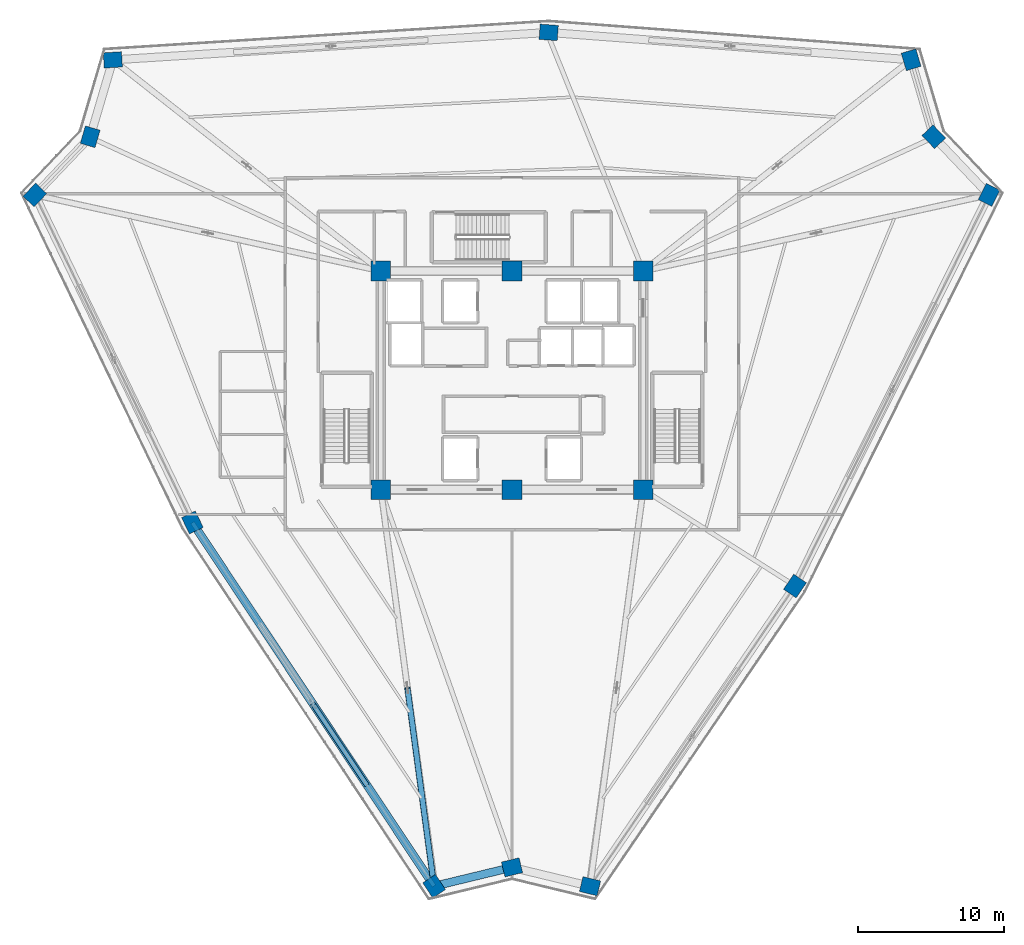
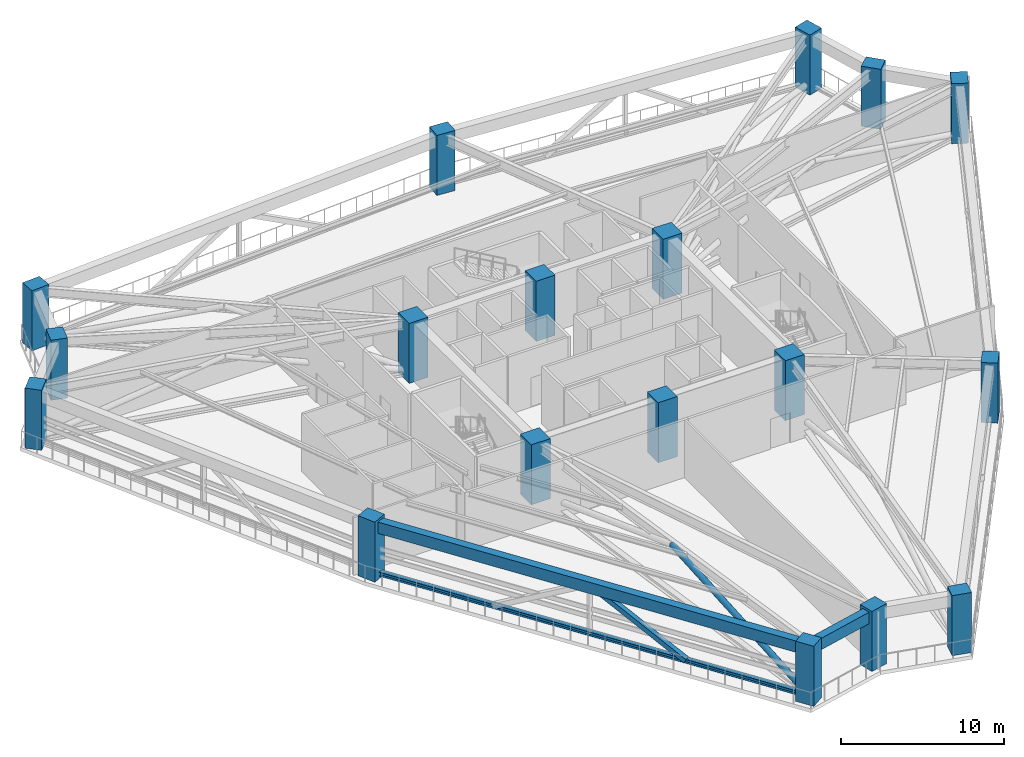
# One storey, part 1 of 25: 18 columns, 3 members, 2 beams.
"""IFC4 building model written with IfcOpenShell, lengths in metres."""

from ifc_helpers import new_model, si_unit, direction, frame, origin, origin_2d, place, context, subcontext, project, spatial, rectangle, hollow_rectangle, hollow_circle, i_section, extrude, source, transform, mapped, material, material_profile, profile_set, type_object, element, save


model = new_model("IFC4")

# Units and contexts
model_context = context("Model", 3, precision=1e-05, world=origin(), true_north=direction((0.0, 1.0)))
body_context = subcontext(model_context, "Body", "Model", "MODEL_VIEW")
ifc_project = project(units=[si_unit("LENGTHUNIT", "METRE"), si_unit("AREAUNIT", "SQUARE_METRE"), si_unit("VOLUMEUNIT", "CUBIC_METRE"), si_unit("PLANEANGLEUNIT", "RADIAN"), si_unit("MASSUNIT", "GRAM", prefix="KILO")], contexts=[model_context])

# Site, building, storey
site_placement = place(None, origin())
site = spatial("IfcSite", under=ifc_project, at=site_placement, CompositionType="ELEMENT")
building_placement = place(site_placement, origin())
building = spatial("IfcBuilding", under=site, at=building_placement, Name="Liaohun Quay Tower", CompositionType="ELEMENT")
storey_placement = place(building_placement, frame((0.0, 0.0, 231.75)))
storey = spatial("IfcBuildingStorey", under=building, at=storey_placement, Name="L60", CompositionType="ELEMENT", Elevation=231.75)

# Columns
ifc_material_1 = material(Name="Concrete C55", Category="concrete")
ifc_material_profile_1 = material_profile(ifc_material_1, rectangle(XDim=1.35009765625, YDim=1.35009765625, at=origin_2d()), Name="RC1350x1350")
ifc_profile_set_1 = profile_set([ifc_material_profile_1], Name="Concrete C55")
column_type_1 = type_object("IfcColumnType", Name="COL-CC-Z3", PredefinedType="COLUMN", material=ifc_profile_set_1)
shared_shape_1 = source(origin(), body_context, "Body", "SweptSolid", [
    extrude(rectangle(XDim=1.35009765625, YDim=1.35009765625, at=origin_2d()), origin(), (0.0, 0.0, 1.0), 4.5),
])
for number, where, z_axis, x_axis, name in (
    (1, (51.0, 46.5, 0.0), (0.0, 0.0, 1.0), (1.0, 0.0, 0.0), "L60 Core Column CC1"),
    (2, (60.0, 46.5, 0.0), (0.0, 0.0, 1.0), (1.0, 0.0, 0.0), "L60 Core Column CC2"),
    (3, (69.0, 46.5, 0.0), (0.0, 0.0, 1.0), (1.0, 0.0, 0.0), "L60 Core Column CC3"),
    (4, (69.0, 61.5, 0.0), (0.0, 0.0, 1.0), (1.0, 0.0, 0.0), "L60 Core Column CC4"),
    (5, (60.0, 61.5, 0.0), (0.0, 0.0, 1.0), (1.0, 0.0, 0.0), "L60 Core Column CC5"),
    (6, (51.0, 61.5, 0.0), (0.0, 0.0, 1.0), (1.0, 0.0, 0.0), "L60 Core Column CC6"),
):
    element("IfcColumn", number, at=place(storey_placement, frame(where, z_axis=z_axis, x_axis=x_axis)), inside=storey, type_object=column_type_1, Name=name, PredefinedType="COLUMN", context=body_context, shape_type="MappedRepresentation", body=[
        mapped(shared_shape_1, transform((0.0, 0.0, 0.0), x_axis=(1.0, 0.0, 0.0), y_axis=(0.0, 1.0, 0.0), z_axis=(0.0, 0.0, 1.0), scale=1.0)),
    ])
ifc_material_profile_2 = material_profile(ifc_material_1, rectangle(XDim=1.25, YDim=1.050048828125, at=origin_2d()), Name="RC1250x1050")
ifc_profile_set_2 = profile_set([ifc_material_profile_2], Name="Concrete C55")
column_type_2 = type_object("IfcColumnType", Name="COL-PIER-Z3", PredefinedType="COLUMN", material=ifc_profile_set_2)
shared_shape_2 = source(origin(), body_context, "Body", "SweptSolid", [
    extrude(rectangle(XDim=1.25, YDim=1.050048828125, at=origin_2d()), origin(), (0.0, 0.0, 1.0), 4.5),
])
for number, where, z_axis, x_axis, name in (
    (7, (54.654052734375, 19.2939453125, 0.0), (0.0, 0.0, 1.0), (-0.553536912995, 0.832824642979, 0.0), "L60 Perimeter Pier PC01"),
    (8, (38.071044921875, 44.2451171875, 0.0), (0.0, 0.0, 1.0), (-0.433344522957, 0.901228341999, 0.0), "L60 Perimeter Pier PC02"),
    (9, (27.264892578125, 66.717041015625, 0.0), (0.0, 0.0, 1.0), (0.68936671806, 0.724412539946, 0.0), "L60 Perimeter Pier PC03"),
    (10, (31.06201171875, 70.7080078125, 0.0), (0.0, 0.0, 1.0), (0.282508884416, 0.959264682049, 0.0), "L60 Perimeter Pier PC04"),
    (11, (32.615966796875, 75.98291015625, 0.0), (0.0, 0.0, 1.0), (0.998015754214, 0.062964707096, 0.0), "L60 Perimeter Pier PC05"),
    (12, (62.51806640625, 77.868896484375, 0.0), (0.0, 0.0, 1.0), (-0.997158900261, 0.075326805528, 0.0), "L60 Perimeter Pier PC06"),
    (13, (87.382080078125, 75.990966796875, 0.0), (0.0, 0.0, 1.0), (-0.282508884416, 0.959264682049, 0.0), "L60 Perimeter Pier PC07"),
    (14, (88.93798828125, 70.7080078125, 0.0), (0.0, 0.0, 1.0), (-0.68936671806, 0.724412539946, 0.0), "L60 Perimeter Pier PC08"),
    (15, (92.72900390625, 66.722900390625, 0.0), (0.0, 0.0, 1.0), (0.44447884122, 0.895789350075, 0.0), "L60 Perimeter Pier PC09"),
    (16, (79.4130859375, 39.885986328125, 0.0), (0.0, 0.0, 1.0), (0.563814377303, 0.825901536471, 0.0), "L60 Perimeter Pier PC10"),
    (17, (65.35400390625, 19.2919921875, 0.0), (0.0, 0.0, 1.0), (-0.972043021443, 0.234802820391, 0.0), "L60 Perimeter Pier PC11"),
    (18, (60.0, 20.5849609375, 0.0), (0.0, 0.0, 1.0), (0.972043021443, 0.234802820391, 0.0), "L60 Perimeter Pier PC12"),
):
    element("IfcColumn", number, at=place(storey_placement, frame(where, z_axis=z_axis, x_axis=x_axis)), inside=storey, type_object=column_type_2, Name=name, PredefinedType="COLUMN", context=body_context, shape_type="MappedRepresentation", body=[
        mapped(shared_shape_2, transform((0.0, 0.0, 0.0), x_axis=(1.0, 0.0, 0.0), y_axis=(0.0, 1.0, 0.0), z_axis=(0.0, 0.0, 1.0), scale=1.0)),
    ])

# Beams
ifc_material_2 = material(Name="Precast concrete C50", Category="concrete")
ifc_material_profile_3 = material_profile(ifc_material_2, rectangle(XDim=0.550048828125, YDim=0.85009765625, at=origin_2d()), Name="RC550x850")
ifc_profile_set_3 = profile_set([ifc_material_profile_3], Name="Precast concrete C50")
beam_type = type_object("IfcBeamType", Name="BM-SPD-Z3", PredefinedType="SPANDREL", material=ifc_profile_set_3)
shared_shape_3 = source(origin(), body_context, "Body", "SweptSolid", [
    extrude(rectangle(XDim=0.550048828125, YDim=0.85009765625, at=origin_2d()), origin(), (0.0, 0.0, 1.0), 29.959228515625),
])
beam_1_placement = place(storey_placement, frame((54.654052734375, 19.2939453125, 3.89501953125), z_axis=(-0.553518646576, 0.832836783465, 0.0), x_axis=(-0.832836783465, -0.553518646576, 0.0)))
element("IfcBeam", 19, at=beam_1_placement, inside=storey, type_object=beam_type, Name="L60 Precast Spandrel Beam PC01-PC02", PredefinedType="SPANDREL", context=body_context, shape_type="MappedRepresentation", body=[
    mapped(shared_shape_3, transform((0.0, 0.0, 0.0), x_axis=(1.0, 0.0, 0.0), y_axis=(0.0, 1.0, 0.0), z_axis=(0.0, 0.0, 1.0), scale=1.0)),
])
shared_shape_4 = source(origin(), body_context, "Body", "SweptSolid", [
    extrude(rectangle(XDim=0.550048828125, YDim=0.85009765625, at=origin_2d()), origin(), (0.0, 0.0, 1.0), 5.49951171875),
])
beam_2_placement = place(storey_placement, frame((60.0, 20.5849609375, 3.89501953125), z_axis=(-0.972056714714, -0.234746125378, 0.0), x_axis=(0.234746125378, -0.972056714714, 0.0)))
element("IfcBeam", 20, at=beam_2_placement, inside=storey, type_object=beam_type, Name="L60 Precast Spandrel Beam PC12-PC01", PredefinedType="SPANDREL", context=body_context, shape_type="MappedRepresentation", body=[
    mapped(shared_shape_4, transform((0.0, 0.0, 0.0), x_axis=(1.0, 0.0, 0.0), y_axis=(0.0, 1.0, 0.0), z_axis=(0.0, 0.0, 1.0), scale=1.0)),
])

# Members
ifc_material_3 = material(Name="Steel Q420D", Category="steel")
ifc_material_profile_4 = material_profile(ifc_material_3, hollow_circle(Radius=0.202880859375, WallThickness=0.01611328125, at=origin_2d()), Name="CHS406x16")
ifc_profile_set_4 = profile_set([ifc_material_profile_4], Name="Steel Q420D")
member_type_1 = type_object("IfcMemberType", Name="MEM-OUT-DG2", PredefinedType="BRACE", material=ifc_profile_set_4)
shared_shape_5 = source(origin(), body_context, "Body", "SweptSolid", [
    extrude(hollow_circle(Radius=0.202880859375, WallThickness=0.01611328125, at=origin_2d()), origin(), (0.0, 0.0, 1.0), 14.207275390625),
])
member_1_placement = place(storey_placement, frame((52.826904296875, 32.89697265625, 4.02001953125), z_axis=(0.12860574437, -0.957463236883, -0.258311270627), x_axis=(0.991099425871, 0.133123732065, 0.0)))
element("IfcMember", 21, at=member_1_placement, inside=storey, type_object=member_type_1, Name="L60 Outrigger Diagonal OD-01B", PredefinedType="BRACE", context=body_context, shape_type="MappedRepresentation", body=[
    mapped(shared_shape_5, transform((0.0, 0.0, 0.0), x_axis=(1.0, 0.0, 0.0), y_axis=(0.0, 1.0, 0.0), z_axis=(0.0, 0.0, 1.0), scale=1.0)),
])
ifc_material_4 = material(Name="Steel Q355D", Category="steel")
ifc_material_profile_5 = material_profile(ifc_material_4, i_section(OverallWidth=0.300048828125, OverallDepth=0.300048828125, WebThickness=0.010009765625, FlangeThickness=0.014892578125, at=origin_2d()), Name="HW300x300x10x15")
ifc_profile_set_5 = profile_set([ifc_material_profile_5], Name="Steel Q355D")
member_type_2 = type_object("IfcMemberType", Name="MEM-BLT-CHD", PredefinedType="CHORD", material=ifc_profile_set_5)
shared_shape_6 = source(origin(), body_context, "Body", "SweptSolid", [
    extrude(i_section(OverallWidth=0.300048828125, OverallDepth=0.300048828125, WebThickness=0.010009765625, FlangeThickness=0.014892578125, at=origin_2d()), origin(), (0.0, 0.0, 1.0), 29.959228515625),
])
member_2_placement = place(storey_placement, frame((54.654052734375, 19.2939453125, 0.35009765625), z_axis=(-0.553518646576, 0.832836783465, 0.0), x_axis=(-0.832836783465, -0.553518646576, 0.0)))
element("IfcMember", 22, at=member_2_placement, inside=storey, type_object=member_type_2, Name="L60 Belt Truss Bottom Chord BC-1-01", PredefinedType="CHORD", context=body_context, shape_type="MappedRepresentation", body=[
    mapped(shared_shape_6, transform((0.0, 0.0, 0.0), x_axis=(1.0, 0.0, 0.0), y_axis=(0.0, 1.0, 0.0), z_axis=(0.0, 0.0, 1.0), scale=1.0)),
])
ifc_material_profile_6 = material_profile(ifc_material_4, hollow_rectangle(XDim=0.35009765625, YDim=0.35009765625, WallThickness=0.01611328125, at=origin_2d()), Name="SHS350x350x16")
ifc_profile_set_6 = profile_set([ifc_material_profile_6], Name="Steel Q355D")
member_type_3 = type_object("IfcMemberType", Name="MEM-BLT-DG2", PredefinedType="BRACE", material=ifc_profile_set_6)
shared_shape_7 = source(origin(), body_context, "Body", "SweptSolid", [
    extrude(hollow_rectangle(XDim=0.35009765625, YDim=0.35009765625, WallThickness=0.01611328125, at=origin_2d()), origin(), (0.0, 0.0, 1.0), 7.544677734375),
])
member_3_placement = place(storey_placement, frame((50.010986328125, 26.280029296875, 0.35009765625), z_axis=(-0.483638895782, 0.727658761504, 0.486421777157), x_axis=(-0.832824385665, -0.553537300136, 0.0)))
element("IfcMember", 23, at=member_3_placement, inside=storey, type_object=member_type_3, Name="L60 Belt Truss Diagonal BD-01A", PredefinedType="BRACE", context=body_context, shape_type="MappedRepresentation", body=[
    mapped(shared_shape_7, transform((0.0, 0.0, 0.0), x_axis=(1.0, 0.0, 0.0), y_axis=(0.0, 1.0, 0.0), z_axis=(0.0, 0.0, 1.0), scale=1.0)),
])

save(model, "model.ifc")
